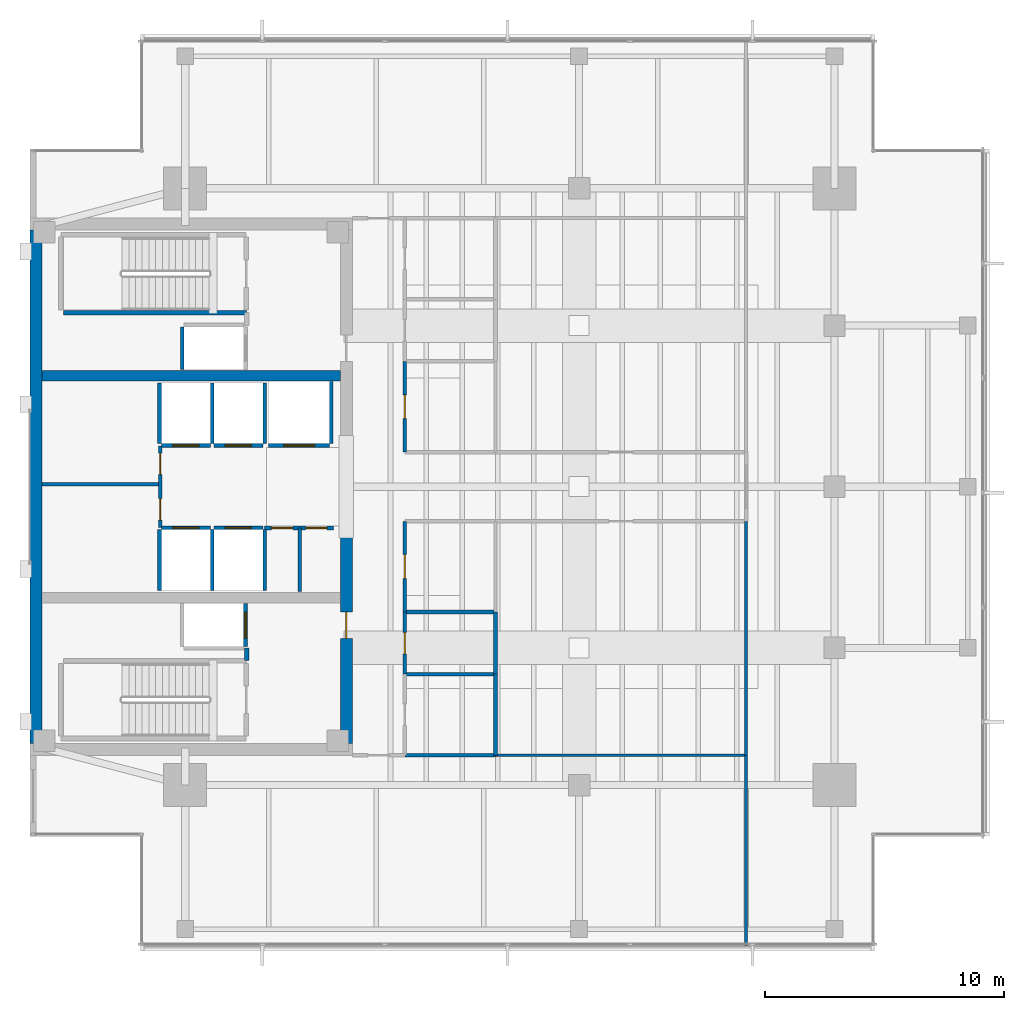
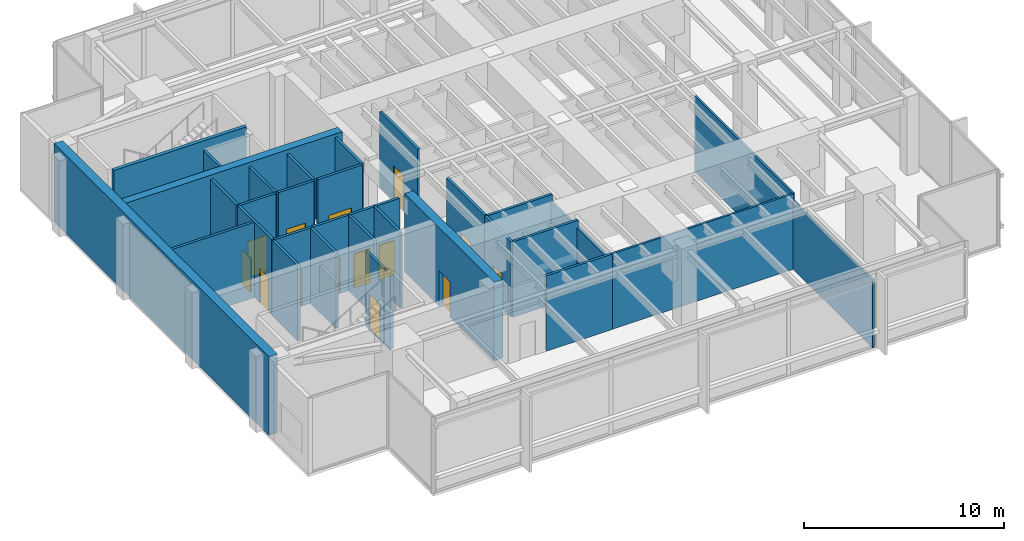
# One storey, part 8 of 14: 34 walls, 14 doors, 14 openings.
"""IFC4 building model written with IfcOpenShell, lengths in metres."""

from ifc_helpers import new_model, si_unit, direction, frame, frame_2d, origin, place, context, subcontext, project, spatial, rectangle, extrude, material, layer, layer_set, type_object, element, fill, save


model = new_model("IFC4")

# Units and contexts
model_context = context("Model", 3, precision=1e-05, world=origin(), true_north=direction((0.0, 1.0)))
body_context = subcontext(model_context, "Body", "Model", "MODEL_VIEW")
ifc_project = project(units=[si_unit("LENGTHUNIT", "METRE"), si_unit("AREAUNIT", "SQUARE_METRE"), si_unit("VOLUMEUNIT", "CUBIC_METRE"), si_unit("PLANEANGLEUNIT", "RADIAN"), si_unit("MASSUNIT", "GRAM", prefix="KILO")], contexts=[model_context])

# Site, building, storey
site_placement = place(None, origin())
site = spatial("IfcSite", under=ifc_project, at=site_placement, CompositionType="ELEMENT")
building_placement = place(site_placement, origin())
building = spatial("IfcBuilding", under=site, at=building_placement, Name="Kinhvarn Gate Tower", CompositionType="ELEMENT")
storey_placement = place(building_placement, frame((0.0, 0.0, 291.85009765625)))
storey = spatial("IfcBuildingStorey", under=building, at=storey_placement, Name="L78", CompositionType="ELEMENT", Elevation=291.85009765625)

# Wall
ifc_material_1 = material(Name="Concrete C50/60", Category="concrete")
ifc_layer_1 = layer(ifc_material_1, 0.449951171875)
ifc_layer_set_1 = layer_set([ifc_layer_1], Name="Concrete C50/60")
wall_type_1 = type_object("IfcWallType", Name="WL-CORE-450", PredefinedType="SHEAR", material=ifc_layer_set_1)
wall_1_placement = place(storey_placement, frame((5.0, 29.89990234375, 0.0), z_axis=(0.0, 0.0, 1.0), x_axis=(1.0, 0.0, 0.0)))
element("IfcWall", 1, at=wall_1_placement, inside=storey, type_object=wall_type_1, Name="Core North Spine Shear Wall L78 450 mm", PredefinedType="SHEAR", context=body_context, shape_type="SweptSolid", body=[
    extrude(rectangle(XDim=12.5, YDim=0.449951171875, at=frame_2d((6.25, 0.0))), origin(), (0.0, 0.0, 1.0), 4.7998046875),
])

# Wall, opening, door
ifc_layer_2 = layer(ifc_material_1, 0.5)
ifc_layer_set_2 = layer_set([ifc_layer_2], Name="Concrete C50/60")
wall_type_2 = type_object("IfcWallType", Name="WL-CORE-500", PredefinedType="SHEAR", material=ifc_layer_set_2)
wall_2_placement = place(storey_placement, frame((17.75, 14.5, 0.0), z_axis=(0.0, 0.0, 1.0), x_axis=(0.0, 1.0, 0.0)))
wall_2 = element("IfcWall", 2, at=wall_2_placement, inside=storey, type_object=wall_type_2, Name="Core East-South Shear Pier L78 500 mm", PredefinedType="SHEAR", context=body_context, shape_type="SweptSolid", body=[
    extrude(rectangle(XDim=8.949951171875, YDim=0.5, at=frame_2d((4.47509765625, 0.0))), origin(), (0.0, 0.0, 1.0), 4.7998046875),
])
opening_1_placement = place(wall_2_placement, frame((4.39990234375, 0.0, 0.0)))
opening_1 = element("IfcOpeningElement", 3, at=opening_1_placement, cuts=wall_2, Name="Opening FD-02", PredefinedType="OPENING", context=body_context, shape_type="SweptSolid", body=[
    extrude(rectangle(XDim=1.10009765625, YDim=2.14990234375, at=frame_2d((0.550048828125, 1.074951171875))), frame((0.0, 0.260009765625, 0.0), z_axis=(0.0, -1.0, 0.0), x_axis=(1.0, 0.0, 0.0)), (0.0, 0.0, 1.0), 0.52001953125),
])
ifc_material_2 = material(Name="Anodised aluminium AW-6063", Category="aluminium")
door_type_1 = type_object("IfcDoorType", Name="DR-FD-1100", OperationType="NOTDEFINED", PredefinedType="DOOR", material=ifc_material_2)
door_1_placement = place(opening_1_placement, origin())
door_1 = element("IfcDoor", 4, at=door_1_placement, inside=storey, type_object=door_type_1, Name="Firefighting Lobby Core Door (L78)", OperationType="SINGLE_SWING_RIGHT", OverallHeight=2.14990234375, OverallWidth=1.10009765625, PredefinedType="DOOR", context=body_context, shape_type="SweptSolid", body=[
    extrude(rectangle(XDim=1.10009765625, YDim=2.14990234375, at=frame_2d((0.550048828125, 1.074951171875))), frame((0.0, 0.02490234375, 0.0), z_axis=(0.0, -1.0, 0.0), x_axis=(1.0, 0.0, 0.0)), (0.0, 0.0, 1.0), 0.050048828125),
])
fill(opening_1, door_1)

# Walls
ifc_layer_3 = layer(ifc_material_1, 0.5)
ifc_layer_set_3 = layer_set([ifc_layer_3], Name="Concrete C50/60")
wall_type_3 = type_object("IfcWallType", Name="WL-COREX-500", PredefinedType="SHEAR", material=ifc_layer_set_3)
wall_3_placement = place(storey_placement, frame((4.75, 14.5, 0.0), z_axis=(0.0, 0.0, 1.0), x_axis=(0.0, 1.0, 0.0)))
element("IfcWall", 5, at=wall_3_placement, inside=storey, type_object=wall_type_3, Name="Core West Shear Wall L78 500 mm", PredefinedType="SHEAR", context=body_context, shape_type="SweptSolid", body=[
    extrude(rectangle(XDim=21.5, YDim=0.5, at=frame_2d((10.75, 0.0))), origin(), (0.0, 0.0, 1.0), 4.7998046875),
])
ifc_material_3 = material(Name="Gypsum acoustic partition board")
ifc_layer_4 = layer(ifc_material_3, 0.14990234375)
ifc_layer_set_4 = layer_set([ifc_layer_4], Name="Gypsum acoustic partition board")
wall_type_4 = type_object("IfcWallType", Name="WL-PLM-150", PredefinedType="PLUMBINGWALL", material=ifc_layer_set_4)
for number, where, z_axis, x_axis, name in (
    (6, (20.199951171875, 17.39990234375, 0.0), (0.0, 0.0, 1.0), (1.0, 0.0, 0.0), "Interior Partition PLW-150 (L78)"),
    (7, (20.199951171875, 14.0, 0.0), (0.0, 0.0, 1.0), (1.0, 0.0, 0.0), "Interior Partition PLW-150 (L78)"),
):
    element("IfcWall", number, at=place(storey_placement, frame(where, z_axis=z_axis, x_axis=x_axis)), inside=storey, type_object=wall_type_4, Name=name, PredefinedType="PLUMBINGWALL", context=body_context, shape_type="SweptSolid", body=[
        extrude(rectangle(XDim=3.800048828125, YDim=0.14990234375, at=frame_2d((1.89990234375, 0.0))), origin(), (0.0, 0.0, 1.0), 4.599853515625),
    ])
wall_4_placement = place(storey_placement, frame((24.0, 14.0, 0.0), z_axis=(0.0, 0.0, 1.0), x_axis=(0.0, 1.0, 0.0)))
element("IfcWall", 8, at=wall_4_placement, inside=storey, type_object=wall_type_4, Name="Interior Partition PLW-150 (L78)", PredefinedType="PLUMBINGWALL", context=body_context, shape_type="SweptSolid", body=[
    extrude(rectangle(XDim=3.39990234375, YDim=0.14990234375, at=frame_2d((1.699951171875, 0.0))), origin(), (0.0, 0.0, 1.0), 4.14990234375),
])
wall_5_placement = place(storey_placement, frame((24.0, 17.39990234375, 0.0), z_axis=(0.0, 0.0, 1.0), x_axis=(0.0, 1.0, 0.0)))
element("IfcWall", 9, at=wall_5_placement, inside=storey, type_object=wall_type_4, Name="Interior Partition PLW-150 (L78)", PredefinedType="PLUMBINGWALL", context=body_context, shape_type="SweptSolid", body=[
    extrude(rectangle(XDim=2.60009765625, YDim=0.14990234375, at=frame_2d((1.300048828125, 0.0))), origin(), (0.0, 0.0, 1.0), 4.14990234375),
])
wall_6_placement = place(storey_placement, frame((20.199951171875, 20.0, 0.0), z_axis=(0.0, 0.0, 1.0), x_axis=(1.0, 0.0, 0.0)))
element("IfcWall", 10, at=wall_6_placement, inside=storey, type_object=wall_type_4, Name="Interior Partition PLW-150 (L78)", PredefinedType="PLUMBINGWALL", context=body_context, shape_type="SweptSolid", body=[
    extrude(rectangle(XDim=3.800048828125, YDim=0.14990234375, at=frame_2d((1.89990234375, 0.0))), origin(), (0.0, 0.0, 1.0), 4.599853515625),
])

# Wall, opening, door
ifc_layer_5 = layer(ifc_material_3, 0.14990234375)
ifc_layer_set_5 = layer_set([ifc_layer_5], Name="Gypsum acoustic partition board")
wall_type_5 = type_object("IfcWallType", Name="WL-PLM-150F", PredefinedType="PLUMBINGWALL", material=ifc_layer_set_5)
wall_7_placement = place(storey_placement, frame((20.199951171875, 17.39990234375, 0.0), z_axis=(0.0, 0.0, 1.0), x_axis=(0.0, 1.0, 0.0)))
wall_7 = element("IfcWall", 11, at=wall_7_placement, inside=storey, type_object=wall_type_5, Name="Interior Partition PLW-150F (L78)", PredefinedType="PLUMBINGWALL", context=body_context, shape_type="SweptSolid", body=[
    extrude(rectangle(XDim=2.60009765625, YDim=0.14990234375, at=frame_2d((1.300048828125, 0.0))), origin(), (0.0, 0.0, 1.0), 4.599853515625),
])
opening_2_placement = place(wall_7_placement, frame((0.85009765625, 0.0, 0.0)))
opening_2 = element("IfcOpeningElement", 12, at=opening_2_placement, cuts=wall_7, Name="Opening FD-04", PredefinedType="OPENING", context=body_context, shape_type="SweptSolid", body=[
    extrude(rectangle(XDim=0.89990234375, YDim=2.10009765625, at=frame_2d((0.449951171875, 1.050048828125))), frame((0.0, 0.0849609375, 0.0), z_axis=(0.0, -1.0, 0.0), x_axis=(1.0, 0.0, 0.0)), (0.0, 0.0, 1.0), 0.169921875),
])
door_type_2 = type_object("IfcDoorType", Name="DR-FD-900", OperationType="NOTDEFINED", PredefinedType="DOOR", material=ifc_material_2)
door_2_placement = place(opening_2_placement, origin())
door_2 = element("IfcDoor", 13, at=door_2_placement, inside=storey, type_object=door_type_2, Name="Rated Riser & Service Closet Fire Door 900x2100 mm (L78)", OperationType="SINGLE_SWING_LEFT", OverallHeight=2.10009765625, OverallWidth=0.89990234375, PredefinedType="DOOR", context=body_context, shape_type="SweptSolid", body=[
    extrude(rectangle(XDim=0.89990234375, YDim=2.10009765625, at=frame_2d((0.449951171875, 1.050048828125))), frame((0.0, 0.02490234375, 0.0), z_axis=(0.0, -1.0, 0.0), x_axis=(1.0, 0.0, 0.0)), (0.0, 0.0, 1.0), 0.050048828125),
])
fill(opening_2, door_2)

# Walls
ifc_layer_6 = layer(ifc_material_3, 0.1201171875)
ifc_layer_set_6 = layer_set([ifc_layer_6], Name="Gypsum acoustic partition board")
wall_type_6 = type_object("IfcWallType", Name="WL-PRT-120", PredefinedType="PARTITIONING", material=ifc_layer_set_6)
wall_8_placement = place(storey_placement, frame((24.0, 14.0, 0.0), z_axis=(0.0, 0.0, 1.0), x_axis=(1.0, 0.0, 0.0)))
element("IfcWall", 14, at=wall_8_placement, inside=storey, type_object=wall_type_6, Name="Interior Partition PW-120 (L78)", PredefinedType="PARTITIONING", context=body_context, shape_type="SweptSolid", body=[
    extrude(rectangle(XDim=10.5, YDim=0.1201171875, at=frame_2d((5.25, 0.0))), origin(), (0.0, 0.0, 1.0), 4.599853515625),
])
wall_9_placement = place(storey_placement, frame((34.5, 6.010009765625, 0.0), z_axis=(0.0, 0.0, 1.0), x_axis=(0.0, 1.0, 0.0)))
element("IfcWall", 15, at=wall_9_placement, inside=storey, type_object=wall_type_6, Name="Interior Partition PW-120 (L78)", PredefinedType="PARTITIONING", context=body_context, shape_type="SweptSolid", body=[
    extrude(rectangle(XDim=7.989990234375, YDim=0.1201171875, at=frame_2d((3.9951171875, 0.0))), origin(), (0.0, 0.0, 1.0), 4.14990234375),
])
wall_10_placement = place(storey_placement, frame((34.5, 14.0, 0.0), z_axis=(0.0, 0.0, 1.0), x_axis=(0.0, 1.0, 0.0)))
element("IfcWall", 16, at=wall_10_placement, inside=storey, type_object=wall_type_6, Name="Interior Partition PW-120 (L78)", PredefinedType="PARTITIONING", context=body_context, shape_type="SweptSolid", body=[
    extrude(rectangle(XDim=9.800048828125, YDim=0.1201171875, at=frame_2d((4.89990234375, 0.0))), origin(), (0.0, 0.0, 1.0), 4.599853515625),
])
ifc_layer_7 = layer(ifc_material_3, 0.14990234375)
ifc_layer_set_7 = layer_set([ifc_layer_7], Name="Gypsum acoustic partition board")
wall_type_7 = type_object("IfcWallType", Name="WL-PRT-150F", PredefinedType="PARTITIONING", material=ifc_layer_set_7)
wall_11_placement = place(storey_placement, frame((5.0, 25.35009765625, 0.0), z_axis=(0.0, 0.0, 1.0), x_axis=(1.0, 0.0, 0.0)))
element("IfcWall", 17, at=wall_11_placement, inside=storey, type_object=wall_type_7, Name="Interior Partition PW-150F (L78)", PredefinedType="PARTITIONING", context=body_context, shape_type="SweptSolid", body=[
    extrude(rectangle(XDim=4.949951171875, YDim=0.14990234375, at=frame_2d((2.47509765625, 0.0))), origin(), (0.0, 0.0, 1.0), 4.599853515625),
])

# Wall, openings, doors
wall_12_placement = place(storey_placement, frame((9.949951171875, 23.550048828125, 0.0), z_axis=(0.0, 0.0, 1.0), x_axis=(0.0, 1.0, 0.0)))
wall_12 = element("IfcWall", 18, at=wall_12_placement, inside=storey, type_object=wall_type_7, Name="Interior Partition PW-150F (L78)", PredefinedType="PARTITIONING", context=body_context, shape_type="SweptSolid", body=[
    extrude(rectangle(XDim=3.39990234375, YDim=0.14990234375, at=frame_2d((1.699951171875, 0.0))), origin(), (0.0, 0.0, 1.0), 4.599853515625),
])
opening_3_placement = place(wall_12_placement, frame((0.298095703125, 0.0, 0.0)))
opening_3 = element("IfcOpeningElement", 19, at=opening_3_placement, cuts=wall_12, Name="Opening FD-04", PredefinedType="OPENING", context=body_context, shape_type="SweptSolid", body=[
    extrude(rectangle(XDim=0.89990234375, YDim=2.10009765625, at=frame_2d((0.449951171875, 1.050048828125))), frame((0.0, 0.0849609375, 0.0), z_axis=(0.0, -1.0, 0.0), x_axis=(1.0, 0.0, 0.0)), (0.0, 0.0, 1.0), 0.169921875),
])
opening_4_placement = place(wall_12_placement, frame((2.201904296875, 0.0, 0.0)))
opening_4 = element("IfcOpeningElement", 20, at=opening_4_placement, cuts=wall_12, Name="Opening FD-04", PredefinedType="OPENING", context=body_context, shape_type="SweptSolid", body=[
    extrude(rectangle(XDim=0.89990234375, YDim=2.10009765625, at=frame_2d((0.449951171875, 1.050048828125))), frame((0.0, 0.0849609375, 0.0), z_axis=(0.0, -1.0, 0.0), x_axis=(1.0, 0.0, 0.0)), (0.0, 0.0, 1.0), 0.169921875),
])
door_3_placement = place(opening_3_placement, origin())
door_3 = element("IfcDoor", 21, at=door_3_placement, inside=storey, type_object=door_type_2, Name="Rated Riser & Service Closet Fire Door 900x2100 mm (L78)", OperationType="SINGLE_SWING_LEFT", OverallHeight=2.10009765625, OverallWidth=0.89990234375, PredefinedType="DOOR", context=body_context, shape_type="SweptSolid", body=[
    extrude(rectangle(XDim=0.89990234375, YDim=2.10009765625, at=frame_2d((0.449951171875, 1.050048828125))), frame((0.0, 0.02490234375, 0.0), z_axis=(0.0, -1.0, 0.0), x_axis=(1.0, 0.0, 0.0)), (0.0, 0.0, 1.0), 0.050048828125),
])
fill(opening_3, door_3)
door_4_placement = place(opening_4_placement, origin())
door_4 = element("IfcDoor", 22, at=door_4_placement, inside=storey, type_object=door_type_2, Name="Rated Riser & Service Closet Fire Door 900x2100 mm (L78)", OperationType="SINGLE_SWING_RIGHT", OverallHeight=2.10009765625, OverallWidth=0.89990234375, PredefinedType="DOOR", context=body_context, shape_type="SweptSolid", body=[
    extrude(rectangle(XDim=0.89990234375, YDim=2.10009765625, at=frame_2d((0.449951171875, 1.050048828125))), frame((0.0, 0.02490234375, 0.0), z_axis=(0.0, -1.0, 0.0), x_axis=(1.0, 0.0, 0.0)), (0.0, 0.0, 1.0), 0.050048828125),
])
fill(opening_4, door_4)

# Wall
wall_13_placement = place(storey_placement, frame((15.800048828125, 20.85009765625, 0.0), z_axis=(0.0, 0.0, 1.0), x_axis=(0.0, 1.0, 0.0)))
element("IfcWall", 23, at=wall_13_placement, inside=storey, type_object=wall_type_7, Name="Interior Partition PW-150F (L78)", PredefinedType="PARTITIONING", context=body_context, shape_type="SweptSolid", body=[
    extrude(rectangle(XDim=2.669921875, YDim=0.14990234375, at=frame_2d((1.3349609375, 0.0))), origin(), (0.0, 0.0, 1.0), 4.599853515625),
])

# Wall, openings, doors
wall_14_placement = place(storey_placement, frame((14.330078125, 23.52001953125, 0.0), z_axis=(0.0, 0.0, 1.0), x_axis=(1.0, 0.0, 0.0)))
wall_14 = element("IfcWall", 24, at=wall_14_placement, inside=storey, type_object=wall_type_7, Name="Interior Partition PW-150F (L78)", PredefinedType="PARTITIONING", context=body_context, shape_type="SweptSolid", body=[
    extrude(rectangle(XDim=2.889892578125, YDim=0.14990234375, at=frame_2d((1.44482421875, 0.0))), origin(), (0.0, 0.0, 1.0), 4.599853515625),
])
opening_5_placement = place(wall_14_placement, frame((0.280029296875, 0.0, 0.0)))
opening_5 = element("IfcOpeningElement", 25, at=opening_5_placement, cuts=wall_14, Name="Opening FD-04", PredefinedType="OPENING", context=body_context, shape_type="SweptSolid", body=[
    extrude(rectangle(XDim=0.89990234375, YDim=2.10009765625, at=frame_2d((0.449951171875, 1.050048828125))), frame((0.0, 0.0849609375, 0.0), z_axis=(0.0, -1.0, 0.0), x_axis=(1.0, 0.0, 0.0)), (0.0, 0.0, 1.0), 0.169921875),
])
opening_6_placement = place(wall_14_placement, frame((1.7099609375, 0.0, 0.0)))
opening_6 = element("IfcOpeningElement", 26, at=opening_6_placement, cuts=wall_14, Name="Opening FD-04", PredefinedType="OPENING", context=body_context, shape_type="SweptSolid", body=[
    extrude(rectangle(XDim=0.89990234375, YDim=2.10009765625, at=frame_2d((0.449951171875, 1.050048828125))), frame((0.0, 0.0849609375, 0.0), z_axis=(0.0, -1.0, 0.0), x_axis=(1.0, 0.0, 0.0)), (0.0, 0.0, 1.0), 0.169921875),
])
door_5_placement = place(opening_5_placement, origin())
door_5 = element("IfcDoor", 27, at=door_5_placement, inside=storey, type_object=door_type_2, Name="Rated Riser & Service Closet Fire Door 900x2100 mm (L78)", OperationType="SINGLE_SWING_LEFT", OverallHeight=2.10009765625, OverallWidth=0.89990234375, PredefinedType="DOOR", context=body_context, shape_type="SweptSolid", body=[
    extrude(rectangle(XDim=0.89990234375, YDim=2.10009765625, at=frame_2d((0.449951171875, 1.050048828125))), frame((0.0, 0.02490234375, 0.0), z_axis=(0.0, -1.0, 0.0), x_axis=(1.0, 0.0, 0.0)), (0.0, 0.0, 1.0), 0.050048828125),
])
fill(opening_5, door_5)
door_6_placement = place(opening_6_placement, origin())
door_6 = element("IfcDoor", 28, at=door_6_placement, inside=storey, type_object=door_type_2, Name="Rated Riser & Service Closet Fire Door 900x2100 mm (L78)", OperationType="SINGLE_SWING_RIGHT", OverallHeight=2.10009765625, OverallWidth=0.89990234375, PredefinedType="DOOR", context=body_context, shape_type="SweptSolid", body=[
    extrude(rectangle(XDim=0.89990234375, YDim=2.10009765625, at=frame_2d((0.449951171875, 1.050048828125))), frame((0.0, 0.02490234375, 0.0), z_axis=(0.0, -1.0, 0.0), x_axis=(1.0, 0.0, 0.0)), (0.0, 0.0, 1.0), 0.050048828125),
])
fill(opening_6, door_6)

# Wall, opening, door
wall_15_placement = place(storey_placement, frame((20.199951171875, 20.0, 0.0), z_axis=(0.0, 0.0, 1.0), x_axis=(0.0, 1.0, 0.0)))
wall_15 = element("IfcWall", 29, at=wall_15_placement, inside=storey, type_object=wall_type_7, Name="Interior Partition PW-150F (L78)", PredefinedType="PARTITIONING", context=body_context, shape_type="SweptSolid", body=[
    extrude(rectangle(XDim=3.800048828125, YDim=0.14990234375, at=frame_2d((1.89990234375, 0.0))), origin(), (0.0, 0.0, 1.0), 4.599853515625),
])
opening_7_placement = place(wall_15_placement, frame((1.39990234375, 0.0, 0.0)))
opening_7 = element("IfcOpeningElement", 30, at=opening_7_placement, cuts=wall_15, Name="Opening ID-02", PredefinedType="OPENING", context=body_context, shape_type="SweptSolid", body=[
    extrude(rectangle(XDim=1.0, YDim=2.14990234375, at=frame_2d((0.5, 1.074951171875))), frame((0.0, 0.0849609375, 0.0), z_axis=(0.0, -1.0, 0.0), x_axis=(1.0, 0.0, 0.0)), (0.0, 0.0, 1.0), 0.169921875),
])
door_type_3 = type_object("IfcDoorType", Name="DR-INT-1000", OperationType="NOTDEFINED", PredefinedType="DOOR", material=ifc_material_2)
door_7_placement = place(opening_7_placement, origin())
door_7 = element("IfcDoor", 31, at=door_7_placement, inside=storey, type_object=door_type_3, Name="Standard Office & Meeting Room Door 1000x2150 mm (L78)", OperationType="SINGLE_SWING_LEFT", OverallHeight=2.14990234375, OverallWidth=1.0, PredefinedType="DOOR", context=body_context, shape_type="SweptSolid", body=[
    extrude(rectangle(XDim=1.0, YDim=2.14990234375, at=frame_2d((0.5, 1.074951171875))), frame((0.0, 0.02490234375, 0.0), z_axis=(0.0, -1.0, 0.0), x_axis=(1.0, 0.0, 0.0)), (0.0, 0.0, 1.0), 0.050048828125),
])
fill(opening_7, door_7)

wall_16_placement = place(storey_placement, frame((20.199951171875, 26.699951171875, 0.0), z_axis=(0.0, 0.0, 1.0), x_axis=(0.0, 1.0, 0.0)))
wall_16 = element("IfcWall", 32, at=wall_16_placement, inside=storey, type_object=wall_type_7, Name="Interior Partition PW-150F (L78)", PredefinedType="PARTITIONING", context=body_context, shape_type="SweptSolid", body=[
    extrude(rectangle(XDim=3.800048828125, YDim=0.14990234375, at=frame_2d((1.89990234375, 0.0))), origin(), (0.0, 0.0, 1.0), 4.599853515625),
])
opening_8_placement = place(wall_16_placement, frame((1.39990234375, 0.0, 0.0)))
opening_8 = element("IfcOpeningElement", 33, at=opening_8_placement, cuts=wall_16, Name="Opening ID-02", PredefinedType="OPENING", context=body_context, shape_type="SweptSolid", body=[
    extrude(rectangle(XDim=1.0, YDim=2.14990234375, at=frame_2d((0.5, 1.074951171875))), frame((0.0, 0.0849609375, 0.0), z_axis=(0.0, -1.0, 0.0), x_axis=(1.0, 0.0, 0.0)), (0.0, 0.0, 1.0), 0.169921875),
])
door_8_placement = place(opening_8_placement, origin())
door_8 = element("IfcDoor", 34, at=door_8_placement, inside=storey, type_object=door_type_3, Name="Standard Office & Meeting Room Door 1000x2150 mm (L78)", OperationType="SINGLE_SWING_RIGHT", OverallHeight=2.14990234375, OverallWidth=1.0, PredefinedType="DOOR", context=body_context, shape_type="SweptSolid", body=[
    extrude(rectangle(XDim=1.0, YDim=2.14990234375, at=frame_2d((0.5, 1.074951171875))), frame((0.0, 0.02490234375, 0.0), z_axis=(0.0, -1.0, 0.0), x_axis=(1.0, 0.0, 0.0)), (0.0, 0.0, 1.0), 0.050048828125),
])
fill(opening_8, door_8)

# Wall
ifc_layer_8 = layer(ifc_material_3, 0.199951171875)
ifc_layer_set_8 = layer_set([ifc_layer_8], Name="Gypsum acoustic partition board")
wall_type_8 = type_object("IfcWallType", Name="WL-PRT-200", PredefinedType="PARTITIONING", material=ifc_layer_set_8)
wall_17_placement = place(storey_placement, frame((13.580078125, 17.9599609375, 0.0), z_axis=(0.0, 0.0, 1.0), x_axis=(0.0, 1.0, 0.0)))
element("IfcWall", 35, at=wall_17_placement, inside=storey, type_object=wall_type_8, Name="Interior Partition PW-200 (L78)", PredefinedType="PARTITIONING", context=body_context, shape_type="SweptSolid", body=[
    extrude(rectangle(XDim=0.5400390625, YDim=0.199951171875, at=frame_2d((0.27001953125, 0.0))), origin(), (0.0, 0.0, 1.0), 4.599853515625),
])

# Wall, opening, door
ifc_layer_9 = layer(ifc_material_3, 0.14990234375)
ifc_layer_set_9 = layer_set([ifc_layer_9], Name="Gypsum acoustic partition board")
wall_type_9 = type_object("IfcWallType", Name="WL-SHF-150", PredefinedType="PARTITIONING", material=ifc_layer_set_9)
wall_18_placement = place(storey_placement, frame((10.0, 23.52490234375, 0.0), z_axis=(0.0, 0.0, 1.0), x_axis=(1.0, 0.0, 0.0)))
wall_18 = element("IfcWall", 36, at=wall_18_placement, inside=storey, type_object=wall_type_9, Name="Elevator PH-09 Landing Wall (L78)", PredefinedType="PARTITIONING", context=body_context, shape_type="SweptSolid", body=[
    extrude(rectangle(XDim=2.050048828125, YDim=0.14990234375, at=frame_2d((1.02490234375, 0.0))), origin(), (0.0, 0.0, 1.0), 4.599853515625),
])
opening_9_placement = place(wall_18_placement, frame((0.47509765625, 0.0, 0.0)))
opening_9 = element("IfcOpeningElement", 37, at=opening_9_placement, cuts=wall_18, Name="Opening LD-01", PredefinedType="OPENING", context=body_context, shape_type="SweptSolid", body=[
    extrude(rectangle(XDim=1.10009765625, YDim=2.199951171875, at=frame_2d((0.550048828125, 1.10009765625))), frame((0.0, 0.0849609375, 0.0), z_axis=(0.0, -1.0, 0.0), x_axis=(1.0, 0.0, 0.0)), (0.0, 0.0, 1.0), 0.169921875),
])
door_type_4 = type_object("IfcDoorType", Name="DR-LND-PAS", OperationType="NOTDEFINED", PredefinedType="DOOR", material=ifc_material_2)
door_9_placement = place(opening_9_placement, origin())
door_9 = element("IfcDoor", 38, at=door_9_placement, inside=storey, type_object=door_type_4, Name="Elevator PH-09 Sliding Landing Door (L78)", OperationType="DOUBLE_DOOR_SLIDING", OverallHeight=2.199951171875, OverallWidth=1.10009765625, PredefinedType="DOOR", context=body_context, shape_type="SweptSolid", body=[
    extrude(rectangle(XDim=1.10009765625, YDim=2.199951171875, at=frame_2d((0.550048828125, 1.10009765625))), frame((0.0, 0.02490234375, 0.0), z_axis=(0.0, -1.0, 0.0), x_axis=(1.0, 0.0, 0.0)), (0.0, 0.0, 1.0), 0.050048828125),
])
fill(opening_9, door_9)

# Walls
for number, where, z_axis, x_axis, name in (
    (39, (9.925048828125, 20.89990234375, 0.0), (0.0, 0.0, 1.0), (0.0, 1.0, 0.0), "Elevator PH-09 Hoistway Wall W (L78)"),
    (40, (12.125, 20.89990234375, 0.0), (0.0, 0.0, 1.0), (0.0, 1.0, 0.0), "Elevator PH-09 Hoistway Wall E (L78)"),
):
    element("IfcWall", number, at=place(storey_placement, frame(where, z_axis=z_axis, x_axis=x_axis)), inside=storey, type_object=wall_type_9, Name=name, PredefinedType="PARTITIONING", context=body_context, shape_type="SweptSolid", body=[
        extrude(rectangle(XDim=2.550048828125, YDim=0.14990234375, at=frame_2d((1.27490234375, 0.0))), origin(), (0.0, 0.0, 1.0), 4.599853515625),
    ])

# Wall, opening, door
wall_19_placement = place(storey_placement, frame((12.199951171875, 23.52490234375, 0.0), z_axis=(0.0, 0.0, 1.0), x_axis=(1.0, 0.0, 0.0)))
wall_19 = element("IfcWall", 41, at=wall_19_placement, inside=storey, type_object=wall_type_9, Name="Elevator PH-10 Landing Wall (L78)", PredefinedType="PARTITIONING", context=body_context, shape_type="SweptSolid", body=[
    extrude(rectangle(XDim=2.050048828125, YDim=0.14990234375, at=frame_2d((1.02490234375, 0.0))), origin(), (0.0, 0.0, 1.0), 4.599853515625),
])
opening_10_placement = place(wall_19_placement, frame((0.47509765625, 0.0, 0.0)))
opening_10 = element("IfcOpeningElement", 42, at=opening_10_placement, cuts=wall_19, Name="Opening LD-01", PredefinedType="OPENING", context=body_context, shape_type="SweptSolid", body=[
    extrude(rectangle(XDim=1.10009765625, YDim=2.199951171875, at=frame_2d((0.550048828125, 1.10009765625))), frame((0.0, 0.0849609375, 0.0), z_axis=(0.0, -1.0, 0.0), x_axis=(1.0, 0.0, 0.0)), (0.0, 0.0, 1.0), 0.169921875),
])
door_10_placement = place(opening_10_placement, origin())
door_10 = element("IfcDoor", 43, at=door_10_placement, inside=storey, type_object=door_type_4, Name="Elevator PH-10 Sliding Landing Door (L78)", OperationType="DOUBLE_DOOR_SLIDING", OverallHeight=2.199951171875, OverallWidth=1.10009765625, PredefinedType="DOOR", context=body_context, shape_type="SweptSolid", body=[
    extrude(rectangle(XDim=1.10009765625, YDim=2.199951171875, at=frame_2d((0.550048828125, 1.10009765625))), frame((0.0, 0.02490234375, 0.0), z_axis=(0.0, -1.0, 0.0), x_axis=(1.0, 0.0, 0.0)), (0.0, 0.0, 1.0), 0.050048828125),
])
fill(opening_10, door_10)

# Wall
wall_20_placement = place(storey_placement, frame((14.324951171875, 20.89990234375, 0.0), z_axis=(0.0, 0.0, 1.0), x_axis=(0.0, 1.0, 0.0)))
element("IfcWall", 44, at=wall_20_placement, inside=storey, type_object=wall_type_9, Name="Elevator PH-10 Hoistway Wall E (L78)", PredefinedType="PARTITIONING", context=body_context, shape_type="SweptSolid", body=[
    extrude(rectangle(XDim=2.550048828125, YDim=0.14990234375, at=frame_2d((1.27490234375, 0.0))), origin(), (0.0, 0.0, 1.0), 4.599853515625),
])

# Wall, opening, door
wall_21_placement = place(storey_placement, frame((10.0, 26.97509765625, 0.0), z_axis=(0.0, 0.0, 1.0), x_axis=(1.0, 0.0, 0.0)))
wall_21 = element("IfcWall", 45, at=wall_21_placement, inside=storey, type_object=wall_type_9, Name="Elevator PH-11 Landing Wall (L78)", PredefinedType="PARTITIONING", context=body_context, shape_type="SweptSolid", body=[
    extrude(rectangle(XDim=2.050048828125, YDim=0.14990234375, at=frame_2d((1.02490234375, 0.0))), origin(), (0.0, 0.0, 1.0), 4.599853515625),
])
opening_11_placement = place(wall_21_placement, frame((0.47509765625, 0.0, 0.0)))
opening_11 = element("IfcOpeningElement", 46, at=opening_11_placement, cuts=wall_21, Name="Opening LD-01", PredefinedType="OPENING", context=body_context, shape_type="SweptSolid", body=[
    extrude(rectangle(XDim=1.10009765625, YDim=2.199951171875, at=frame_2d((0.550048828125, 1.10009765625))), frame((0.0, 0.0849609375, 0.0), z_axis=(0.0, -1.0, 0.0), x_axis=(1.0, 0.0, 0.0)), (0.0, 0.0, 1.0), 0.169921875),
])
door_11_placement = place(opening_11_placement, origin())
door_11 = element("IfcDoor", 47, at=door_11_placement, inside=storey, type_object=door_type_4, Name="Elevator PH-11 Sliding Landing Door (L78)", OperationType="DOUBLE_DOOR_SLIDING", OverallHeight=2.199951171875, OverallWidth=1.10009765625, PredefinedType="DOOR", context=body_context, shape_type="SweptSolid", body=[
    extrude(rectangle(XDim=1.10009765625, YDim=2.199951171875, at=frame_2d((0.550048828125, 1.10009765625))), frame((0.0, 0.02490234375, 0.0), z_axis=(0.0, -1.0, 0.0), x_axis=(1.0, 0.0, 0.0)), (0.0, 0.0, 1.0), 0.050048828125),
])
fill(opening_11, door_11)

# Walls
for number, where, z_axis, x_axis, name in (
    (48, (9.925048828125, 27.050048828125, 0.0), (0.0, 0.0, 1.0), (0.0, 1.0, 0.0), "Elevator PH-11 Hoistway Wall W (L78)"),
    (49, (12.125, 27.050048828125, 0.0), (0.0, 0.0, 1.0), (0.0, 1.0, 0.0), "Elevator PH-11 Hoistway Wall E (L78)"),
):
    element("IfcWall", number, at=place(storey_placement, frame(where, z_axis=z_axis, x_axis=x_axis)), inside=storey, type_object=wall_type_9, Name=name, PredefinedType="PARTITIONING", context=body_context, shape_type="SweptSolid", body=[
        extrude(rectangle(XDim=2.550048828125, YDim=0.14990234375, at=frame_2d((1.27490234375, 0.0))), origin(), (0.0, 0.0, 1.0), 4.599853515625),
    ])

# Wall, opening, door
wall_22_placement = place(storey_placement, frame((12.199951171875, 26.97509765625, 0.0), z_axis=(0.0, 0.0, 1.0), x_axis=(1.0, 0.0, 0.0)))
wall_22 = element("IfcWall", 50, at=wall_22_placement, inside=storey, type_object=wall_type_9, Name="Elevator PH-12 Landing Wall (L78)", PredefinedType="PARTITIONING", context=body_context, shape_type="SweptSolid", body=[
    extrude(rectangle(XDim=2.050048828125, YDim=0.14990234375, at=frame_2d((1.02490234375, 0.0))), origin(), (0.0, 0.0, 1.0), 4.599853515625),
])
opening_12_placement = place(wall_22_placement, frame((0.47509765625, 0.0, 0.0)))
opening_12 = element("IfcOpeningElement", 51, at=opening_12_placement, cuts=wall_22, Name="Opening LD-01", PredefinedType="OPENING", context=body_context, shape_type="SweptSolid", body=[
    extrude(rectangle(XDim=1.10009765625, YDim=2.199951171875, at=frame_2d((0.550048828125, 1.10009765625))), frame((0.0, 0.0849609375, 0.0), z_axis=(0.0, -1.0, 0.0), x_axis=(1.0, 0.0, 0.0)), (0.0, 0.0, 1.0), 0.169921875),
])
door_12_placement = place(opening_12_placement, origin())
door_12 = element("IfcDoor", 52, at=door_12_placement, inside=storey, type_object=door_type_4, Name="Elevator PH-12 Sliding Landing Door (L78)", OperationType="DOUBLE_DOOR_SLIDING", OverallHeight=2.199951171875, OverallWidth=1.10009765625, PredefinedType="DOOR", context=body_context, shape_type="SweptSolid", body=[
    extrude(rectangle(XDim=1.10009765625, YDim=2.199951171875, at=frame_2d((0.550048828125, 1.10009765625))), frame((0.0, 0.02490234375, 0.0), z_axis=(0.0, -1.0, 0.0), x_axis=(1.0, 0.0, 0.0)), (0.0, 0.0, 1.0), 0.050048828125),
])
fill(opening_12, door_12)

# Wall
wall_23_placement = place(storey_placement, frame((14.324951171875, 27.050048828125, 0.0), z_axis=(0.0, 0.0, 1.0), x_axis=(0.0, 1.0, 0.0)))
element("IfcWall", 53, at=wall_23_placement, inside=storey, type_object=wall_type_9, Name="Elevator PH-12 Hoistway Wall E (L78)", PredefinedType="PARTITIONING", context=body_context, shape_type="SweptSolid", body=[
    extrude(rectangle(XDim=2.550048828125, YDim=0.14990234375, at=frame_2d((1.27490234375, 0.0))), origin(), (0.0, 0.0, 1.0), 4.599853515625),
])

# Wall, opening, door
wall_24_placement = place(storey_placement, frame((14.5, 26.97509765625, 0.0), z_axis=(0.0, 0.0, 1.0), x_axis=(1.0, 0.0, 0.0)))
wall_24 = element("IfcWall", 54, at=wall_24_placement, inside=storey, type_object=wall_type_9, Name="Elevator SV-01 Landing Wall (L78)", PredefinedType="PARTITIONING", context=body_context, shape_type="SweptSolid", body=[
    extrude(rectangle(XDim=2.550048828125, YDim=0.14990234375, at=frame_2d((1.27490234375, 0.0))), origin(), (0.0, 0.0, 1.0), 4.599853515625),
])
opening_13_placement = place(wall_24_placement, frame((0.625, 0.0, 0.0)))
opening_13 = element("IfcOpeningElement", 55, at=opening_13_placement, cuts=wall_24, Name="Opening LD-02", PredefinedType="OPENING", context=body_context, shape_type="SweptSolid", body=[
    extrude(rectangle(XDim=1.300048828125, YDim=2.199951171875, at=frame_2d((0.64990234375, 1.10009765625))), frame((0.0, 0.0849609375, 0.0), z_axis=(0.0, -1.0, 0.0), x_axis=(1.0, 0.0, 0.0)), (0.0, 0.0, 1.0), 0.169921875),
])
door_type_5 = type_object("IfcDoorType", Name="DR-LND-SRV", OperationType="NOTDEFINED", PredefinedType="DOOR", material=ifc_material_2)
door_13_placement = place(opening_13_placement, origin())
door_13 = element("IfcDoor", 56, at=door_13_placement, inside=storey, type_object=door_type_5, Name="Elevator SV-01 Sliding Landing Door (L78)", OperationType="DOUBLE_DOOR_SLIDING", OverallHeight=2.199951171875, OverallWidth=1.300048828125, PredefinedType="DOOR", context=body_context, shape_type="SweptSolid", body=[
    extrude(rectangle(XDim=1.300048828125, YDim=2.199951171875, at=frame_2d((0.64990234375, 1.10009765625))), frame((0.0, 0.02490234375, 0.0), z_axis=(0.0, -1.0, 0.0), x_axis=(1.0, 0.0, 0.0)), (0.0, 0.0, 1.0), 0.050048828125),
])
fill(opening_13, door_13)

# Wall
wall_25_placement = place(storey_placement, frame((17.125, 27.050048828125, 0.0), z_axis=(0.0, 0.0, 1.0), x_axis=(0.0, 1.0, 0.0)))
element("IfcWall", 57, at=wall_25_placement, inside=storey, type_object=wall_type_9, Name="Elevator SV-01 Hoistway Wall E (L78)", PredefinedType="PARTITIONING", context=body_context, shape_type="SweptSolid", body=[
    extrude(rectangle(XDim=2.599853515625, YDim=0.14990234375, at=frame_2d((1.2998046875, 0.0))), origin(), (0.0, 0.0, 1.0), 4.599853515625),
])

# Wall, opening, door
wall_26_placement = place(storey_placement, frame((13.52490234375, 18.550048828125, 0.0), z_axis=(0.0, 0.0, 1.0), x_axis=(0.0, 1.0, 0.0)))
wall_26 = element("IfcWall", 58, at=wall_26_placement, inside=storey, type_object=wall_type_9, Name="Elevator FF1 Landing Wall (L78)", PredefinedType="PARTITIONING", context=body_context, shape_type="SweptSolid", body=[
    extrude(rectangle(XDim=1.800048828125, YDim=0.14990234375, at=frame_2d((0.89990234375, 0.0))), origin(), (0.0, 0.0, 1.0), 4.599853515625),
])
opening_14_placement = place(wall_26_placement, frame((0.35009765625, 0.0, 0.0)))
opening_14 = element("IfcOpeningElement", 59, at=opening_14_placement, cuts=wall_26, Name="Opening LD-03", PredefinedType="OPENING", context=body_context, shape_type="SweptSolid", body=[
    extrude(rectangle(XDim=1.10009765625, YDim=2.199951171875, at=frame_2d((0.550048828125, 1.10009765625))), frame((0.0, 0.0849609375, 0.0), z_axis=(0.0, -1.0, 0.0), x_axis=(1.0, 0.0, 0.0)), (0.0, 0.0, 1.0), 0.169921875),
])
door_type_6 = type_object("IfcDoorType", Name="DR-LND-FF", OperationType="NOTDEFINED", PredefinedType="DOOR", material=ifc_material_2)
door_14_placement = place(opening_14_placement, origin())
door_14 = element("IfcDoor", 60, at=door_14_placement, inside=storey, type_object=door_type_6, Name="Elevator FF1 Sliding Landing Door (L78)", OperationType="DOUBLE_DOOR_SLIDING", OverallHeight=2.199951171875, OverallWidth=1.10009765625, PredefinedType="DOOR", context=body_context, shape_type="SweptSolid", body=[
    extrude(rectangle(XDim=1.10009765625, YDim=2.199951171875, at=frame_2d((0.550048828125, 1.10009765625))), frame((0.0, 0.02490234375, 0.0), z_axis=(0.0, -1.0, 0.0), x_axis=(1.0, 0.0, 0.0)), (0.0, 0.0, 1.0), 0.050048828125),
])
fill(opening_14, door_14)

# Walls
wall_27_placement = place(storey_placement, frame((10.875, 30.14990234375, 0.0), z_axis=(0.0, 0.0, 1.0), x_axis=(0.0, 1.0, 0.0)))
element("IfcWall", 61, at=wall_27_placement, inside=storey, type_object=wall_type_9, Name="Elevator FF2 Hoistway Wall W (L78)", PredefinedType="PARTITIONING", context=body_context, shape_type="SweptSolid", body=[
    extrude(rectangle(XDim=1.800048828125, YDim=0.14990234375, at=frame_2d((0.89990234375, 0.0))), origin(), (0.0, 0.0, 1.0), 4.599853515625),
])
ifc_material_4 = material(Name="Concrete C40/50", Category="concrete")
ifc_layer_10 = layer(ifc_material_4, 0.199951171875)
ifc_layer_set_10 = layer_set([ifc_layer_10], Name="Concrete C40/50")
wall_type_10 = type_object("IfcWallType", Name="WL-SHF-200", PredefinedType="SOLIDWALL", material=ifc_layer_set_10)
wall_28_placement = place(storey_placement, frame((5.89990234375, 32.5400390625, 0.0), z_axis=(0.0, 0.0, 1.0), x_axis=(1.0, 0.0, 0.0)))
element("IfcWall", 62, at=wall_28_placement, inside=storey, type_object=wall_type_10, Name="Stair ST2 South Shaft Wall (L78)", PredefinedType="SOLIDWALL", context=body_context, shape_type="SweptSolid", body=[
    extrude(rectangle(XDim=7.66015625, YDim=0.199951171875, at=frame_2d((3.830078125, 0.0))), origin(), (0.0, 0.0, 1.0), 4.7998046875),
])

save(model, "model.ifc")
